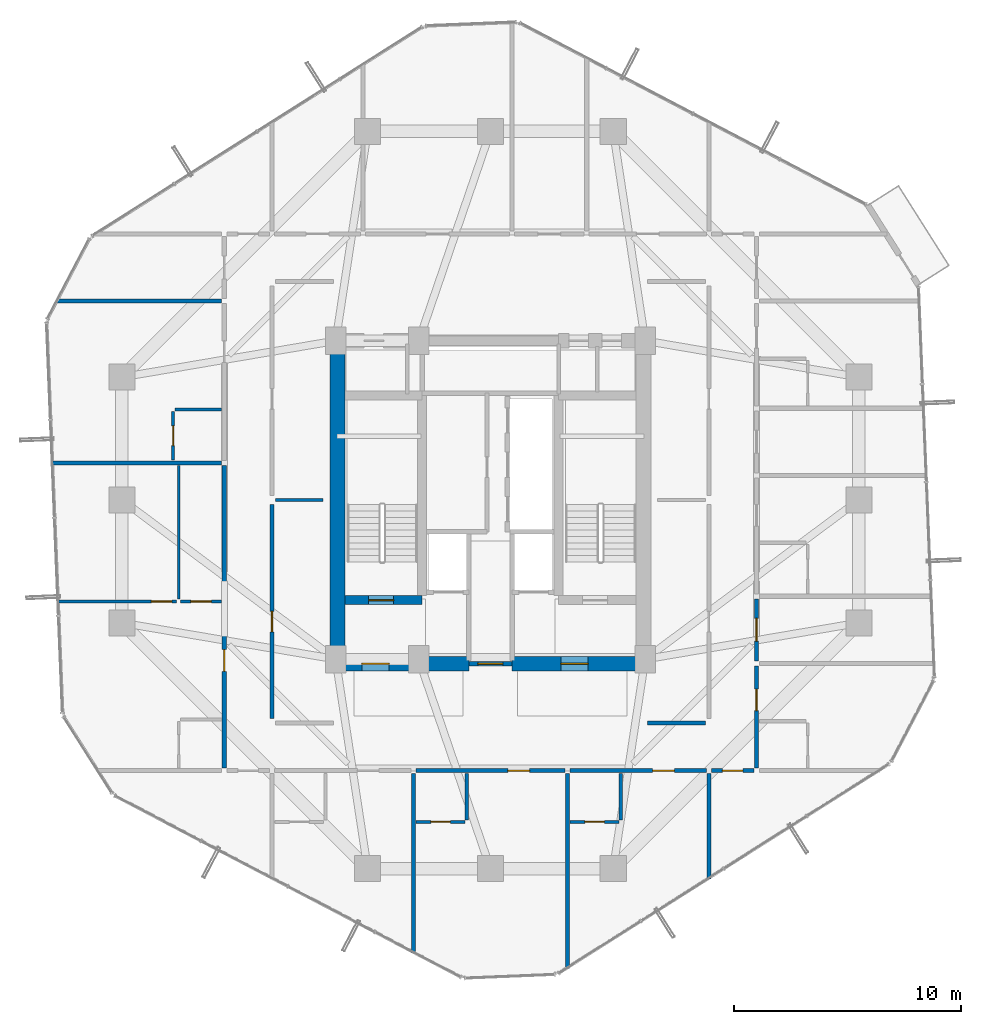
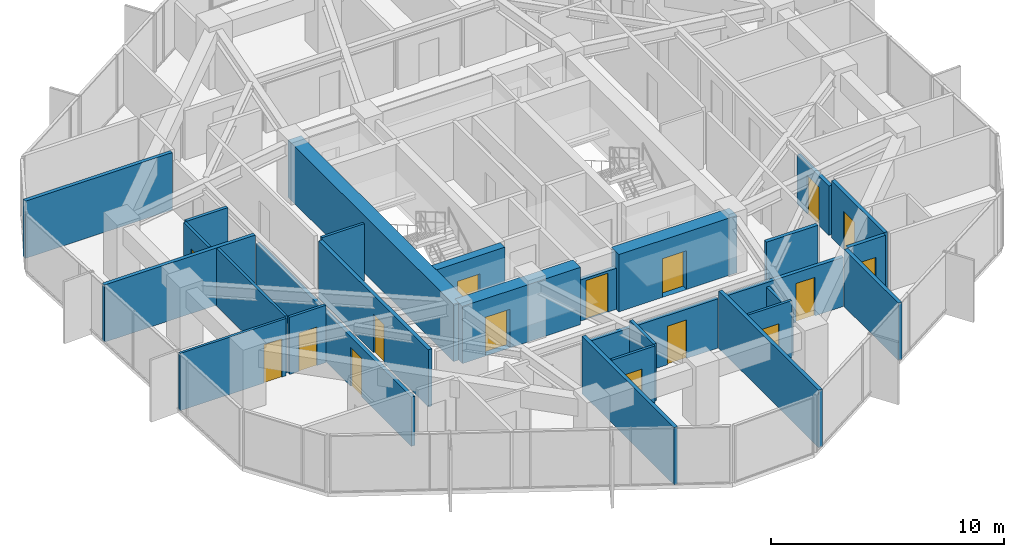
# One storey, part 27 of 32: 28 walls, 16 doors, 16 openings.
"""IFC4 building model written with IfcOpenShell, lengths in metres."""

import ifcopenshell
import ifcopenshell.guid

model = None  # the IFC model being written
_history = None  # IfcOwnerHistory: only IFC2X3 demands one
_inside = {}  # id of a spatial element -> (the spatial element, [elements in it])
_under = {}  # id of a project, library or spatial element -> (it, [spatial elements below it])
_declared = {}  # id of a project -> (the project, [libraries it declares])
_typed = {}  # id of a type object -> (the type object, [elements of that type])
_made_of = {}  # id of a material, layer set ... -> (it, [elements and type objects made of it])


def new_model(schema):
    """Start an empty IFC model of exactly this schema.

    Asked for "IFC4X3", IfcOpenShell would pick the latest addendum, in which some entities
    have other attributes; the version numbers below select the first issue.
    IFC2X3 requires an IfcOwnerHistory on every rooted entity: one is made here for all.
    """
    global model, _history
    if schema == "IFC4X3":
        model = ifcopenshell.file(schema_version=(4, 3, 0, 0))
    else:
        model = ifcopenshell.file(schema=schema)
    _inside.clear()
    _under.clear()
    _declared.clear()
    _typed.clear()
    _made_of.clear()
    _history = None
    if model.schema == "IFC2X3":
        org = make("IfcOrganization", Name="unknown")
        user = make(
            "IfcPersonAndOrganization",
            ThePerson=make("IfcPerson", FamilyName="unknown"),
            TheOrganization=org,
        )
        app = make(
            "IfcApplication",
            ApplicationDeveloper=org,
            Version="unknown",
            ApplicationFullName="unknown",
            ApplicationIdentifier="unknown",
        )
        _history = make(
            "IfcOwnerHistory",
            OwningUser=user,
            OwningApplication=app,
            ChangeAction="ADDED",
            CreationDate=0,
        )
    return model


def make(cls, **values):
    """One entity of the class cls with the attributes given. An attribute that is None is left unset."""
    return model.create_entity(
        cls, **{name: value for name, value in values.items() if value is not None}
    )


def rooted(cls, **values):
    """An entity with a GlobalId (a new one), such as an element, a storey or a relation."""
    return make(cls, GlobalId=ifcopenshell.guid.new(), OwnerHistory=_history, **values)


def si_unit(unit_type, name, prefix=None):
    """IfcSIUnit, for example si_unit("LENGTHUNIT", "METRE", prefix="MILLI")."""
    return make("IfcSIUnit", UnitType=unit_type, Prefix=prefix, Name=name)


def assignment(units):
    """IfcUnitAssignment: the units of a project."""
    return None if units is None else make("IfcUnitAssignment", Units=units)


def point(xyz):
    """IfcCartesianPoint."""
    return None if xyz is None else make("IfcCartesianPoint", Coordinates=xyz)


def direction(xyz):
    """IfcDirection."""
    return None if xyz is None else make("IfcDirection", DirectionRatios=xyz)


def frame(location, z_axis=None, x_axis=None):
    """IfcAxis2Placement3D, a coordinate frame: its origin and axes. An axis left out is left unset."""
    return make(
        "IfcAxis2Placement3D",
        Location=point(location),
        Axis=direction(z_axis),
        RefDirection=direction(x_axis),
    )


def frame_2d(location, x_axis=None):
    """IfcAxis2Placement2D, a coordinate frame in the plane: its origin and x axis."""
    return make(
        "IfcAxis2Placement2D", Location=point(location), RefDirection=direction(x_axis)
    )


def origin():
    """The frame at (0, 0, 0) with its axes left unset."""
    return frame((0.0, 0.0, 0.0))


def place(relative_to, where):
    """IfcLocalPlacement: puts the frame where relative to a parent placement (None: the world)."""
    return make(
        "IfcLocalPlacement", PlacementRelTo=relative_to, RelativePlacement=where
    )


def context(
    kind, dimensions, precision=None, world=None, true_north=None, identifier=None
):
    """IfcGeometricRepresentationContext, for example the 3D "Model" context."""
    return make(
        "IfcGeometricRepresentationContext",
        ContextIdentifier=identifier,
        ContextType=kind,
        CoordinateSpaceDimension=dimensions,
        Precision=precision,
        WorldCoordinateSystem=world,
        TrueNorth=true_north,
    )


def subcontext(parent, identifier, kind, view, scale=None):
    """IfcGeometricRepresentationSubContext, for example "Body" below "Model"."""
    return make(
        "IfcGeometricRepresentationSubContext",
        ContextIdentifier=identifier,
        ContextType=kind,
        ParentContext=parent,
        TargetScale=scale,
        TargetView=view,
    )


def project(units=None, contexts=None):
    """IfcProject with its units and contexts."""
    return rooted(
        "IfcProject",
        Name="project",
        RepresentationContexts=contexts,
        UnitsInContext=assignment(units),
    )


def spatial(cls, under=None, at=None, **own):
    """A site, building, storey or space (cls), placed at a placement, below another one or the project."""
    s = rooted(cls, ObjectPlacement=at, **own)
    if under is not None:
        _under.setdefault(under.id(), (under, []))[1].append(s)
    return s


def profile(cls, at=None, kind="AREA", **sizes):
    """A parametric profile (cls). Its sizes go by their IFC names, for example OverallWidth=200.0."""
    return make(cls, ProfileType=kind, Position=at, **sizes)


def rectangle(**sizes):
    """IfcRectangleProfileDef."""
    return profile("IfcRectangleProfileDef", **sizes)


def extrude(swept, where, along, depth):
    """IfcExtrudedAreaSolid: the profile swept, set in the frame where, extruded along a direction by depth."""
    return make(
        "IfcExtrudedAreaSolid",
        SweptArea=swept,
        Position=where,
        ExtrudedDirection=direction(along),
        Depth=depth,
    )


def shape(context_of_items, identifier, shape_type, items):
    """IfcShapeRepresentation: the items that make up one representation, for example the "Body"."""
    return make(
        "IfcShapeRepresentation",
        ContextOfItems=context_of_items,
        RepresentationIdentifier=identifier,
        RepresentationType=shape_type,
        Items=items,
    )


def source(mapping_origin, context_of_items, identifier, shape_type, items):
    """IfcRepresentationMap: a shape defined once, which mapped items show again and again."""
    return make(
        "IfcRepresentationMap",
        MappingOrigin=mapping_origin,
        MappedRepresentation=shape(context_of_items, identifier, shape_type, items),
    )


def transform(
    local_origin,
    x_axis=None,
    y_axis=None,
    z_axis=None,
    scale=None,
    scale2=None,
    scale3=None,
    uniform=True,
):
    """IfcCartesianTransformationOperator3D, or its non-uniform kind. x_axis, y_axis, z_axis: its Axis1, 2, 3."""
    if uniform:
        return make(
            "IfcCartesianTransformationOperator3D",
            Axis1=direction(x_axis),
            Axis2=direction(y_axis),
            LocalOrigin=point(local_origin),
            Scale=scale,
            Axis3=direction(z_axis),
        )
    return make(
        "IfcCartesianTransformationOperator3DnonUniform",
        Axis1=direction(x_axis),
        Axis2=direction(y_axis),
        LocalOrigin=point(local_origin),
        Scale=scale,
        Axis3=direction(z_axis),
        Scale2=scale2,
        Scale3=scale3,
    )


def mapped(mapping_source, mapping_target):
    """IfcMappedItem: shows the shape of a source again, moved by a transform."""
    return make(
        "IfcMappedItem", MappingSource=mapping_source, MappingTarget=mapping_target
    )


def material(Name=None, Category=None):
    """IfcMaterial."""
    return make("IfcMaterial", Name=Name, Category=Category)


def layer(
    of_material, thickness, ventilated=None, Name=None, Category=None, Priority=None
):
    """IfcMaterialLayer: one layer of a wall or slab, of a material (None: an air gap)."""
    return make(
        "IfcMaterialLayer",
        Material=of_material,
        LayerThickness=thickness,
        IsVentilated=ventilated,
        Name=Name,
        Category=Category,
        Priority=Priority,
    )


def layer_set(layers, Name=None):
    """IfcMaterialLayerSet."""
    return make("IfcMaterialLayerSet", MaterialLayers=layers, LayerSetName=Name)


def made_of(thing, what):
    """Note that an element or type object is made of a material, layer set ...; save() writes the relation."""
    if what is not None:
        _made_of.setdefault(what.id(), (what, []))[1].append(thing)
    return thing


def type_object(cls, material=None, **own):
    """A type object (cls), such as IfcWallType, which elements share."""
    return made_of(rooted(cls, **own), material)


def element(
    cls,
    number,
    at=None,
    inside=None,
    cuts=None,
    type_object=None,
    material=None,
    context=None,
    identifier="Body",
    shape_type=None,
    held_by="IfcProductDefinitionShape",
    body=None,
    shapes=None,
    **own,
):
    """One element of the class cls, such as IfcWall. Its Tag is "e" and its number.

    at: its placement. inside: the storey or other place that contains it. cuts: it is an
    opening in that element (IfcRelVoidsElement). A single representation is given by context,
    identifier, shape_type and body (its items); several are given by shapes. held_by: the class
    of the entity that holds the representations. save() writes the other relations.
    """
    e = rooted(cls, Tag="e%d" % number, ObjectPlacement=at, **own)
    if body is not None:
        shapes = [shape(context, identifier, shape_type, body)]
    if shapes is not None:
        e.Representation = make(held_by, Representations=shapes)
    if inside is not None:
        _inside.setdefault(inside.id(), (inside, []))[1].append(e)
    if cuts is not None:
        rooted(
            "IfcRelVoidsElement", RelatingBuildingElement=cuts, RelatedOpeningElement=e
        )
    if type_object is not None:
        _typed.setdefault(type_object.id(), (type_object, []))[1].append(e)
    return made_of(e, material)


def fill(opening, filler):
    """IfcRelFillsElement: the door or window that sits in an opening."""
    return rooted(
        "IfcRelFillsElement",
        RelatingOpeningElement=opening,
        RelatedBuildingElement=filler,
    )


def aggregate(whole, parts):
    """IfcRelAggregates: a whole, such as a stair, and the parts it consists of."""
    return rooted("IfcRelAggregates", RelatingObject=whole, RelatedObjects=parts)


def save(model, path):
    """Write the relations noted so far, then the file.

    IfcRelAggregates (storeys below a building ...), IfcRelContainedInSpatialStructure (elements
    in a storey), IfcRelDefinesByType, IfcRelAssociatesMaterial and IfcRelDeclares: one each for
    every whole, place, type object, material and project.
    """
    for whole, parts in _under.values():
        aggregate(whole, parts)
    for where, things in _inside.values():
        rooted(
            "IfcRelContainedInSpatialStructure",
            RelatedElements=things,
            RelatingStructure=where,
        )
    for kind, things in _typed.values():
        rooted("IfcRelDefinesByType", RelatedObjects=things, RelatingType=kind)
    for what, things in _made_of.values():
        rooted("IfcRelAssociatesMaterial", RelatedObjects=things, RelatingMaterial=what)
    for by, libraries in _declared.values():
        rooted("IfcRelDeclares", RelatingContext=by, RelatedDefinitions=libraries)
    model.write(path)


model = new_model("IFC4")

# Units and contexts
model_context = context("Model", 3, precision=1e-05, world=origin(), true_north=direction((0.0, 1.0)))
body_context = subcontext(model_context, "Body", "Model", "MODEL_VIEW")
ifc_project = project(units=[si_unit("LENGTHUNIT", "METRE"), si_unit("AREAUNIT", "SQUARE_METRE"), si_unit("VOLUMEUNIT", "CUBIC_METRE"), si_unit("PLANEANGLEUNIT", "RADIAN"), si_unit("MASSUNIT", "GRAM", prefix="KILO")], contexts=[model_context])

# Site, building, storey
site_placement = place(None, origin())
site = spatial("IfcSite", under=ifc_project, at=site_placement, CompositionType="ELEMENT")
building_placement = place(site_placement, origin())
building = spatial("IfcBuilding", under=site, at=building_placement, Name="Veraguas Prism Commons", CompositionType="ELEMENT")
storey_placement = place(building_placement, frame((0.0, 0.0, 136.0)))
storey = spatial("IfcBuildingStorey", under=building, at=storey_placement, Name="L38", CompositionType="ELEMENT", Elevation=136.0)

# Wall, opening, door
ifc_material_1 = material(Name="Concrete C50/60", Category="concrete")
ifc_layer_1 = layer(ifc_material_1, 0.39990234375, Name="Clinic and Mid Core Shear Wall RC 400", Category="concrete")
ifc_layer_set_1 = layer_set([ifc_layer_1], Name="Concrete C50/60")
wall_type_1 = type_object("IfcWallType", Name="Clinic and Mid Core Shear Wall RC 400", PredefinedType="SHEAR", material=ifc_layer_set_1)
wall_1_placement = place(storey_placement, frame((17.60009765625, 19.60009765625, 0.0), z_axis=(0.0, 0.0, 1.0), x_axis=(1.0, 0.0, 0.0)))
wall_1 = element("IfcWall", 1, at=wall_1_placement, inside=storey, type_object=wall_type_1, Name="Stair ST-01 South Shear Wall L38", PredefinedType="SHEAR", context=body_context, shape_type="SweptSolid", body=[
    extrude(rectangle(XDim=3.39990234375, YDim=0.39990234375, at=frame_2d((1.699951171875, 0.0))), origin(), (0.0, 0.0, 1.0), 3.0),
])
opening_1_placement = place(wall_1_placement, frame((1.050048828125, 0.0, 0.0)))
opening_1 = element("IfcOpeningElement", 2, at=opening_1_placement, cuts=wall_1, Name="Opening DR-05", PredefinedType="OPENING", context=body_context, shape_type="SweptSolid", body=[
    extrude(rectangle(XDim=1.10009765625, YDim=2.030029296875, at=frame_2d((0.550048828125, 1.01513671875))), frame((0.0, 0.2099609375, 0.0), z_axis=(0.0, -1.0, 0.0), x_axis=(1.0, 0.0, 0.0)), (0.0, 0.0, 1.0), 0.419921875),
])
ifc_material_2 = material(Name="Steel fire-rated door assembly", Category="steel")
door_type_1 = type_object("IfcDoorType", Name="Protected Stair and Refuge Fire Door 1100x2030", OperationType="NOTDEFINED", PredefinedType="DOOR", material=ifc_material_2)
shared_shape_1 = source(origin(), body_context, "Body", "SweptSolid", [
    extrude(rectangle(XDim=1.10009765625, YDim=2.030029296875, at=frame_2d((0.550048828125, 1.01513671875))), frame((0.0, 0.02490234375, 0.0), z_axis=(0.0, -1.0, 0.0), x_axis=(1.0, 0.0, 0.0)), (0.0, 0.0, 1.0), 0.050048828125),
])
door_1_placement = place(opening_1_placement, origin())
door_1 = element("IfcDoor", 3, at=door_1_placement, inside=storey, type_object=door_type_1, Name="Stair ST-01 Enclosure Door L38", OperationType="SINGLE_SWING_LEFT", OverallHeight=2.030029296875, OverallWidth=1.10009765625, PredefinedType="DOOR", context=body_context, shape_type="MappedRepresentation", body=[
    mapped(shared_shape_1, transform((0.0, 0.0, 0.0), scale=1.0)),
])
fill(opening_1, door_1)

# Wall
ifc_material_3 = material(Name="Concrete C55/67", Category="concrete")
ifc_layer_2 = layer(ifc_material_3, 0.64990234375, Name="Core Outer Shear Wall Mid RC 650", Category="concrete")
ifc_layer_set_2 = layer_set([ifc_layer_2], Name="Concrete C55/67")
wall_type_2 = type_object("IfcWallType", Name="Core Outer Shear Wall Mid RC 650", PredefinedType="SHEAR", material=ifc_layer_set_2)
wall_2_placement = place(storey_placement, frame((17.27490234375, 16.800048828125, 0.0), z_axis=(0.0, 0.0, 1.0), x_axis=(0.0, 1.0, 0.0)))
element("IfcWall", 4, at=wall_2_placement, inside=storey, type_object=wall_type_2, Name="Central Core West Shear Wall L38", PredefinedType="SHEAR", context=body_context, shape_type="SweptSolid", body=[
    extrude(rectangle(XDim=14.199951171875, YDim=0.64990234375, at=frame_2d((7.10009765625, 0.0))), origin(), (0.0, 0.0, 1.0), 3.0),
])

# Wall, opening, door
wall_3_placement = place(storey_placement, frame((17.199951171875, 16.800048828125, 0.0), z_axis=(0.0, 0.0, 1.0), x_axis=(1.0, 0.0, 0.0)))
wall_3 = element("IfcWall", 5, at=wall_3_placement, inside=storey, type_object=wall_type_2, Name="Central Core South-West Shear Wall L38", PredefinedType="SHEAR", context=body_context, shape_type="SweptSolid", body=[
    extrude(rectangle(XDim=5.85009765625, YDim=0.64990234375, at=frame_2d((2.925048828125, 0.0))), origin(), (0.0, 0.0, 1.0), 3.0),
])
opening_2_placement = place(wall_3_placement, frame((1.14990234375, 0.0, 0.0)))
opening_2 = element("IfcOpeningElement", 6, at=opening_2_placement, cuts=wall_3, Name="Opening DR-06", PredefinedType="OPENING", context=body_context, shape_type="SweptSolid", body=[
    extrude(rectangle(XDim=1.199951171875, YDim=2.030029296875, at=frame_2d((0.60009765625, 1.01513671875))), frame((0.0, 0.3349609375, 0.0), z_axis=(0.0, -1.0, 0.0), x_axis=(1.0, 0.0, 0.0)), (0.0, 0.0, 1.0), 0.669921875),
])
door_type_2 = type_object("IfcDoorType", Name="Firefighting Lobby Smoke Door 1200x2030", OperationType="NOTDEFINED", PredefinedType="DOOR", material=ifc_material_2)
shared_shape_2 = source(origin(), body_context, "Body", "SweptSolid", [
    extrude(rectangle(XDim=1.199951171875, YDim=2.030029296875, at=frame_2d((0.60009765625, 1.01513671875))), frame((0.0, 0.02490234375, 0.0), z_axis=(0.0, -1.0, 0.0), x_axis=(1.0, 0.0, 0.0)), (0.0, 0.0, 1.0), 0.050048828125),
])
door_2_placement = place(opening_2_placement, origin())
door_2 = element("IfcDoor", 7, at=door_2_placement, inside=storey, type_object=door_type_2, Name="West FF Lobby Door L38", OperationType="SINGLE_SWING_LEFT", OverallHeight=2.030029296875, OverallWidth=1.199951171875, PredefinedType="DOOR", context=body_context, shape_type="MappedRepresentation", body=[
    mapped(shared_shape_2, transform((0.0, 0.0, 0.0), scale=1.0)),
])
fill(opening_2, door_2)

wall_4_placement = place(storey_placement, frame((24.949951171875, 16.800048828125, 0.0), z_axis=(0.0, 0.0, 1.0), x_axis=(1.0, 0.0, 0.0)))
wall_4 = element("IfcWall", 8, at=wall_4_placement, inside=storey, type_object=wall_type_2, Name="Central Core South-East Shear Wall L38", PredefinedType="SHEAR", context=body_context, shape_type="SweptSolid", body=[
    extrude(rectangle(XDim=5.85009765625, YDim=0.64990234375, at=frame_2d((2.925048828125, 0.0))), origin(), (0.0, 0.0, 1.0), 3.0),
])
opening_3_placement = place(wall_4_placement, frame((2.14990234375, 0.0, 0.0)))
opening_3 = element("IfcOpeningElement", 9, at=opening_3_placement, cuts=wall_4, Name="Opening DR-06", PredefinedType="OPENING", context=body_context, shape_type="SweptSolid", body=[
    extrude(rectangle(XDim=1.199951171875, YDim=2.030029296875, at=frame_2d((0.60009765625, 1.01513671875))), frame((0.0, 0.3349609375, 0.0), z_axis=(0.0, -1.0, 0.0), x_axis=(1.0, 0.0, 0.0)), (0.0, 0.0, 1.0), 0.669921875),
])
door_3_placement = place(opening_3_placement, origin())
door_3 = element("IfcDoor", 10, at=door_3_placement, inside=storey, type_object=door_type_2, Name="East FF Lobby Door L38", OperationType="SINGLE_SWING_LEFT", OverallHeight=2.030029296875, OverallWidth=1.199951171875, PredefinedType="DOOR", context=body_context, shape_type="MappedRepresentation", body=[
    mapped(shared_shape_2, transform((0.0, 0.0, 0.0), scale=1.0)),
])
fill(opening_3, door_3)

ifc_material_4 = material(Name="Autoclaved aerated masonry block 10 MPa", Category="masonry")
ifc_layer_3 = layer(ifc_material_4, 0.179931640625, Name="Corridor and Inter-Tenancy Partition 180", Category="masonry")
ifc_layer_set_3 = layer_set([ifc_layer_3], Name="Autoclaved aerated masonry block 10 MPa")
wall_type_3 = type_object("IfcWallType", Name="Corridor and Inter-Tenancy Partition 180", PredefinedType="PARTITIONING", material=ifc_layer_set_3)
wall_5_placement = place(storey_placement, frame((14.39990234375, 14.39990234375, 0.0), z_axis=(0.0, 0.0, 1.0), x_axis=(0.0, 1.0, 0.0)))
wall_5 = element("IfcWall", 11, at=wall_5_placement, inside=storey, type_object=wall_type_3, Name="WL-L38-IRW1", PredefinedType="PARTITIONING", context=body_context, shape_type="SweptSolid", body=[
    extrude(rectangle(XDim=9.400146484375, YDim=0.179931640625, at=frame_2d((4.7001953125, 0.0))), origin(), (0.0, 0.0, 1.0), 3.0),
])
opening_4_placement = place(wall_5_placement, frame((3.800048828125, 0.0, 0.0)))
opening_4 = element("IfcOpeningElement", 12, at=opening_4_placement, cuts=wall_5, Name="Opening DR-14", PredefinedType="OPENING", context=body_context, shape_type="SweptSolid", body=[
    extrude(rectangle(XDim=0.89990234375, YDim=2.010009765625, at=frame_2d((0.449951171875, 1.0048828125))), frame((0.0, 0.099853515625, 0.0), z_axis=(0.0, -1.0, 0.0), x_axis=(1.0, 0.0, 0.0)), (0.0, 0.0, 1.0), 0.199951171875),
])
door_type_3 = type_object("IfcDoorType", Name="Core Service Room Fire Door 900x2010", OperationType="NOTDEFINED", PredefinedType="DOOR", material=ifc_material_2)
shared_shape_3 = source(origin(), body_context, "Body", "SweptSolid", [
    extrude(rectangle(XDim=0.89990234375, YDim=2.010009765625, at=frame_2d((0.449951171875, 1.0048828125))), frame((0.0, 0.02490234375, 0.0), z_axis=(0.0, -1.0, 0.0), x_axis=(1.0, 0.0, 0.0)), (0.0, 0.0, 1.0), 0.050048828125),
])
door_4_placement = place(opening_4_placement, origin())
door_4 = element("IfcDoor", 13, at=door_4_placement, inside=storey, type_object=door_type_3, Name="Residents Quiet Study Pod Door L38", OperationType="SINGLE_SWING_RIGHT", OverallHeight=2.010009765625, OverallWidth=0.89990234375, PredefinedType="DOOR", context=body_context, shape_type="MappedRepresentation", body=[
    mapped(shared_shape_3, transform((0.0, 0.0, 0.0), scale=1.0)),
])
fill(opening_4, door_4)

# Walls
wall_6_placement = place(storey_placement, frame((30.89990234375, 14.199951171875, 0.0), z_axis=(0.0, 0.0, 1.0), x_axis=(1.0, 0.0, 0.0)))
element("IfcWall", 14, at=wall_6_placement, inside=storey, type_object=wall_type_3, Name="WL-L38-IRES", PredefinedType="PARTITIONING", context=body_context, shape_type="SweptSolid", body=[
    extrude(rectangle(XDim=2.550048828125, YDim=0.179931640625, at=frame_2d((1.27490234375, 0.0))), origin(), (0.0, 0.0, 1.0), 3.0),
])
wall_7_placement = place(storey_placement, frame((33.60009765625, 11.97998046875, 0.0), z_axis=(0.0, 0.0, 1.0), x_axis=(0.0, -1.0, 0.0)))
element("IfcWall", 15, at=wall_7_placement, inside=storey, type_object=wall_type_3, Name="WL-L38-PT002", PredefinedType="PARTITIONING", context=body_context, shape_type="SweptSolid", body=[
    extrude(rectangle(XDim=4.641357421875, YDim=0.179931640625, at=frame_2d((2.32080078125, 0.0))), origin(), (0.0, 0.0, 1.0), 3.0),
])
wall_8_placement = place(storey_placement, frame((20.615966796875, 11.97998046875, 0.0), z_axis=(0.0, 0.0, 1.0), x_axis=(0.0, -1.0, 0.0)))
element("IfcWall", 16, at=wall_8_placement, inside=storey, type_object=wall_type_3, Name="WL-L38-PT006", PredefinedType="PARTITIONING", context=body_context, shape_type="SweptSolid", body=[
    extrude(rectangle(XDim=7.897705078125, YDim=0.179931640625, at=frame_2d((3.94873046875, 0.0))), origin(), (0.0, 0.0, 1.0), 3.0),
])

# Wall, opening, door
wall_9_placement = place(storey_placement, frame((20.72607421875, 12.10009765625, 0.0), z_axis=(0.0, 0.0, 1.0), x_axis=(1.0, 0.0, 0.0)))
wall_9 = element("IfcWall", 17, at=wall_9_placement, inside=storey, type_object=wall_type_3, Name="WL-L38-PT007", PredefinedType="PARTITIONING", context=body_context, shape_type="SweptSolid", body=[
    extrude(rectangle(XDim=6.5478515625, YDim=0.179931640625, at=frame_2d((3.27392578125, 0.0))), origin(), (0.0, 0.0, 1.0), 2.580078125),
])
opening_5_placement = place(wall_9_placement, frame((4.04638671875, 0.0, 0.0)))
opening_5 = element("IfcOpeningElement", 18, at=opening_5_placement, cuts=wall_9, Name="Opening DR-01", PredefinedType="OPENING", context=body_context, shape_type="SweptSolid", body=[
    extrude(rectangle(XDim=0.949951171875, YDim=2.02001953125, at=frame_2d((0.47509765625, 1.010009765625))), frame((0.0, 0.099853515625, 0.0), z_axis=(0.0, -1.0, 0.0), x_axis=(1.0, 0.0, 0.0)), (0.0, 0.0, 1.0), 0.199951171875),
])
ifc_material_5 = material(Name="Anodised aluminium EN AW-6063 T6", Category="aluminium")
door_type_4 = type_object("IfcDoorType", Name="Apartment Entrance Fire Door 950x2020", OperationType="NOTDEFINED", PredefinedType="DOOR", material=ifc_material_5)
shared_shape_4 = source(origin(), body_context, "Body", "SweptSolid", [
    extrude(rectangle(XDim=0.949951171875, YDim=2.02001953125, at=frame_2d((0.47509765625, 1.010009765625))), frame((0.0, 0.02490234375, 0.0), z_axis=(0.0, -1.0, 0.0), x_axis=(1.0, 0.0, 0.0)), (0.0, 0.0, 1.0), 0.050048828125),
])
door_5_placement = place(opening_5_placement, origin())
door_5 = element("IfcDoor", 19, at=door_5_placement, inside=storey, type_object=door_type_4, Name="Studio 38B Entrance Door", OperationType="SINGLE_SWING_RIGHT", OverallHeight=2.02001953125, OverallWidth=0.949951171875, PredefinedType="DOOR", context=body_context, shape_type="MappedRepresentation", body=[
    mapped(shared_shape_4, transform((0.0, 0.0, 0.0), scale=1.0)),
])
fill(opening_5, door_5)

# Wall
wall_10_placement = place(storey_placement, frame((27.384033203125, 11.97998046875, 0.0), z_axis=(0.0, 0.0, 1.0), x_axis=(0.0, -1.0, 0.0)))
element("IfcWall", 20, at=wall_10_placement, inside=storey, type_object=wall_type_3, Name="WL-L38-PT010", PredefinedType="PARTITIONING", context=body_context, shape_type="SweptSolid", body=[
    extrude(rectangle(XDim=8.576904296875, YDim=0.179931640625, at=frame_2d((4.28857421875, 0.0))), origin(), (0.0, 0.0, 1.0), 3.0),
])

# Wall, opening, door
wall_11_placement = place(storey_placement, frame((27.493896484375, 12.10009765625, 0.0), z_axis=(0.0, 0.0, 1.0), x_axis=(1.0, 0.0, 0.0)))
wall_11 = element("IfcWall", 21, at=wall_11_placement, inside=storey, type_object=wall_type_3, Name="WL-L38-PT011", PredefinedType="PARTITIONING", context=body_context, shape_type="SweptSolid", body=[
    extrude(rectangle(XDim=5.99609375, YDim=0.179931640625, at=frame_2d((2.998046875, 0.0))), origin(), (0.0, 0.0, 1.0), 2.580078125),
])
opening_6_placement = place(wall_11_placement, frame((3.637939453125, 0.0, 0.0)))
opening_6 = element("IfcOpeningElement", 22, at=opening_6_placement, cuts=wall_11, Name="Opening DR-01", PredefinedType="OPENING", context=body_context, shape_type="SweptSolid", body=[
    extrude(rectangle(XDim=0.949951171875, YDim=2.02001953125, at=frame_2d((0.47509765625, 1.010009765625))), frame((0.0, 0.099853515625, 0.0), z_axis=(0.0, -1.0, 0.0), x_axis=(1.0, 0.0, 0.0)), (0.0, 0.0, 1.0), 0.199951171875),
])
door_6_placement = place(opening_6_placement, origin())
door_6 = element("IfcDoor", 23, at=door_6_placement, inside=storey, type_object=door_type_4, Name="Studio 38C Entrance Door", OperationType="SINGLE_SWING_RIGHT", OverallHeight=2.02001953125, OverallWidth=0.949951171875, PredefinedType="DOOR", context=body_context, shape_type="MappedRepresentation", body=[
    mapped(shared_shape_4, transform((0.0, 0.0, 0.0), scale=1.0)),
])
fill(opening_6, door_6)

wall_12_placement = place(storey_placement, frame((12.300048828125, 12.2099609375, 0.0), z_axis=(0.0, 0.0, 1.0), x_axis=(0.0, 1.0, 0.0)))
wall_12 = element("IfcWall", 24, at=wall_12_placement, inside=storey, type_object=wall_type_3, Name="WL-L38-PT025", PredefinedType="PARTITIONING", context=body_context, shape_type="SweptSolid", body=[
    extrude(rectangle(XDim=13.30810546875, YDim=0.179931640625, at=frame_2d((6.654052734375, 0.0))), origin(), (0.0, 0.0, 1.0), 2.580078125),
])
opening_7_placement = place(wall_12_placement, frame((4.260009765625, 0.0, 0.0)))
opening_7 = element("IfcOpeningElement", 25, at=opening_7_placement, cuts=wall_12, Name="Opening DR-01", PredefinedType="OPENING", context=body_context, shape_type="SweptSolid", body=[
    extrude(rectangle(XDim=0.949951171875, YDim=2.02001953125, at=frame_2d((0.47509765625, 1.010009765625))), frame((0.0, 0.099853515625, 0.0), z_axis=(0.0, -1.0, 0.0), x_axis=(1.0, 0.0, 0.0)), (0.0, 0.0, 1.0), 0.199951171875),
])
door_7_placement = place(opening_7_placement, origin())
door_7 = element("IfcDoor", 26, at=door_7_placement, inside=storey, type_object=door_type_4, Name="Flat 38D Entrance Door", OperationType="SINGLE_SWING_RIGHT", OverallHeight=2.02001953125, OverallWidth=0.949951171875, PredefinedType="DOOR", context=body_context, shape_type="MappedRepresentation", body=[
    mapped(shared_shape_4, transform((0.0, 0.0, 0.0), scale=1.0)),
])
fill(opening_7, door_7)

# Walls
wall_13_placement = place(storey_placement, frame((12.179931640625, 25.6279296875, 0.0), z_axis=(0.0, 0.0, 1.0), x_axis=(-1.0, 0.0, 0.0)))
element("IfcWall", 27, at=wall_13_placement, inside=storey, type_object=wall_type_3, Name="WL-L38-PT031", PredefinedType="PARTITIONING", context=body_context, shape_type="SweptSolid", body=[
    extrude(rectangle(XDim=7.47509765625, YDim=0.179931640625, at=frame_2d((3.737548828125, 0.0))), origin(), (0.0, 0.0, 1.0), 3.0),
])
wall_14_placement = place(storey_placement, frame((12.179931640625, 32.75, 0.0), z_axis=(0.0, 0.0, 1.0), x_axis=(-1.0, 0.0, 0.0)))
element("IfcWall", 28, at=wall_14_placement, inside=storey, type_object=wall_type_3, Name="WL-L38-PT033", PredefinedType="PARTITIONING", context=body_context, shape_type="SweptSolid", body=[
    extrude(rectangle(XDim=7.2822265625, YDim=0.179931640625, at=frame_2d((3.64111328125, 0.0))), origin(), (0.0, 0.0, 1.0), 3.0),
])

# Wall, opening, door
wall_15_placement = place(storey_placement, frame((35.699951171875, 16.927978515625, 0.0), z_axis=(0.0, 0.0, 1.0), x_axis=(0.0, 1.0, 0.0)))
wall_15 = element("IfcWall", 29, at=wall_15_placement, inside=storey, type_object=wall_type_3, Name="WL-L38-PT039", PredefinedType="PARTITIONING", context=body_context, shape_type="SweptSolid", body=[
    extrude(rectangle(XDim=2.72998046875, YDim=0.179931640625, at=frame_2d((1.364990234375, 0.0))), origin(), (0.0, 0.0, 1.0), 2.580078125),
])
opening_8_placement = place(wall_15_placement, frame((0.864990234375, 0.0, 0.0)))
opening_8 = element("IfcOpeningElement", 30, at=opening_8_placement, cuts=wall_15, Name="Opening DR-13", PredefinedType="OPENING", context=body_context, shape_type="SweptSolid", body=[
    extrude(rectangle(XDim=1.0, YDim=2.010009765625, at=frame_2d((0.5, 1.0048828125))), frame((0.0, 0.099853515625, 0.0), z_axis=(0.0, -1.0, 0.0), x_axis=(1.0, 0.0, 0.0)), (0.0, 0.0, 1.0), 0.199951171875),
])
door_type_5 = type_object("IfcDoorType", Name="Core Accessible WC and Clinic Fire Door 1000x2010", OperationType="NOTDEFINED", PredefinedType="DOOR", material=ifc_material_2)
shared_shape_5 = source(origin(), body_context, "Body", "SweptSolid", [
    extrude(rectangle(XDim=1.0, YDim=2.010009765625, at=frame_2d((0.5, 1.0048828125))), frame((0.0, 0.02490234375, 0.0), z_axis=(0.0, -1.0, 0.0), x_axis=(1.0, 0.0, 0.0)), (0.0, 0.0, 1.0), 0.050048828125),
])
door_8_placement = place(opening_8_placement, origin())
door_8 = element("IfcDoor", 31, at=door_8_placement, inside=storey, type_object=door_type_5, Name="Quiet Study E Door", OperationType="SINGLE_SWING_LEFT", OverallHeight=2.010009765625, OverallWidth=1.0, PredefinedType="DOOR", context=body_context, shape_type="MappedRepresentation", body=[
    mapped(shared_shape_5, transform((0.0, 0.0, 0.0), scale=1.0)),
])
fill(opening_8, door_8)

wall_16_placement = place(storey_placement, frame((35.699951171875, 12.2099609375, 0.0), z_axis=(0.0, 0.0, 1.0), x_axis=(0.0, 1.0, 0.0)))
wall_16 = element("IfcWall", 32, at=wall_16_placement, inside=storey, type_object=wall_type_3, Name="WL-L38-PT041", PredefinedType="PARTITIONING", context=body_context, shape_type="SweptSolid", body=[
    extrude(rectangle(XDim=4.498046875, YDim=0.179931640625, at=frame_2d((2.2490234375, 0.0))), origin(), (0.0, 0.0, 1.0), 3.0),
])
opening_9_placement = place(wall_16_placement, frame((2.529541015625, 0.0, 0.0)))
opening_9 = element("IfcOpeningElement", 33, at=opening_9_placement, cuts=wall_16, Name="Opening DR-01", PredefinedType="OPENING", context=body_context, shape_type="SweptSolid", body=[
    extrude(rectangle(XDim=0.949951171875, YDim=2.02001953125, at=frame_2d((0.47509765625, 1.010009765625))), frame((0.0, 0.099853515625, 0.0), z_axis=(0.0, -1.0, 0.0), x_axis=(1.0, 0.0, 0.0)), (0.0, 0.0, 1.0), 0.199951171875),
])
door_9_placement = place(opening_9_placement, origin())
door_9 = element("IfcDoor", 34, at=door_9_placement, inside=storey, type_object=door_type_4, Name="Studio 38F Entrance Door", OperationType="SINGLE_SWING_RIGHT", OverallHeight=2.02001953125, OverallWidth=0.949951171875, PredefinedType="DOOR", context=body_context, shape_type="MappedRepresentation", body=[
    mapped(shared_shape_4, transform((0.0, 0.0, 0.0), scale=1.0)),
])
fill(opening_9, door_9)

wall_17_placement = place(storey_placement, frame((33.719970703125, 12.10009765625, 0.0), z_axis=(0.0, 0.0, 1.0), x_axis=(1.0, 0.0, 0.0)))
wall_17 = element("IfcWall", 35, at=wall_17_placement, inside=storey, type_object=wall_type_3, Name="WL-L38-PT057", PredefinedType="PARTITIONING", context=body_context, shape_type="SweptSolid", body=[
    extrude(rectangle(XDim=1.860107421875, YDim=0.179931640625, at=frame_2d((0.93017578125, 0.0))), origin(), (0.0, 0.0, 1.0), 3.0),
])
opening_10_placement = place(wall_17_placement, frame((0.47998046875, 0.0, 0.0)))
opening_10 = element("IfcOpeningElement", 36, at=opening_10_placement, cuts=wall_17, Name="Opening DR-14", PredefinedType="OPENING", context=body_context, shape_type="SweptSolid", body=[
    extrude(rectangle(XDim=0.89990234375, YDim=2.010009765625, at=frame_2d((0.449951171875, 1.0048828125))), frame((0.0, 0.099853515625, 0.0), z_axis=(0.0, -1.0, 0.0), x_axis=(1.0, 0.0, 0.0)), (0.0, 0.0, 1.0), 0.199951171875),
])
door_10_placement = place(opening_10_placement, origin())
door_10 = element("IfcDoor", 37, at=door_10_placement, inside=storey, type_object=door_type_3, Name="Corner Study SE Door", OperationType="SINGLE_SWING_LEFT", OverallHeight=2.010009765625, OverallWidth=0.89990234375, PredefinedType="DOOR", context=body_context, shape_type="MappedRepresentation", body=[
    mapped(shared_shape_3, transform((0.0, 0.0, 0.0), scale=1.0)),
])
fill(opening_10, door_10)

# Wall
ifc_material_6 = material(Name="Lightweight acoustic gypsum board")
ifc_layer_4 = layer(ifc_material_6, 0.125, Name="Internal Apartment Room Partition 125")
ifc_layer_set_4 = layer_set([ifc_layer_4], Name="Lightweight acoustic gypsum board")
wall_type_4 = type_object("IfcWallType", Name="Internal Apartment Room Partition 125", PredefinedType="PARTITIONING", material=ifc_layer_set_4)
wall_18_placement = place(storey_placement, frame((14.550048828125, 24.0, 0.0), z_axis=(0.0, 0.0, 1.0), x_axis=(1.0, 0.0, 0.0)))
element("IfcWall", 38, at=wall_18_placement, inside=storey, type_object=wall_type_4, Name="WL-L38-IRWM", PredefinedType="PARTITIONING", context=body_context, shape_type="SweptSolid", body=[
    extrude(rectangle(XDim=2.099853515625, YDim=0.125, at=frame_2d((1.0498046875, 0.0))), origin(), (0.0, 0.0, 1.0), 3.0),
])

# Wall, opening, door
wall_19_placement = place(storey_placement, frame((20.736083984375, 9.85009765625, 0.0), z_axis=(0.0, 0.0, 1.0), x_axis=(1.0, 0.0, 0.0)))
wall_19 = element("IfcWall", 39, at=wall_19_placement, inside=storey, type_object=wall_type_4, Name="WL-L38-PT009", PredefinedType="PARTITIONING", context=body_context, shape_type="SweptSolid", body=[
    extrude(rectangle(XDim=2.14990234375, YDim=0.125, at=frame_2d((1.074951171875, 0.0))), origin(), (0.0, 0.0, 1.0), 3.0),
])
opening_11_placement = place(wall_19_placement, frame((0.64501953125, 0.0, 0.0)))
opening_11 = element("IfcOpeningElement", 40, at=opening_11_placement, cuts=wall_19, Name="Opening DR-03", PredefinedType="OPENING", context=body_context, shape_type="SweptSolid", body=[
    extrude(rectangle(XDim=0.860107421875, YDim=2.010009765625, at=frame_2d((0.43017578125, 1.0048828125))), frame((0.0, 0.072509765625, 0.0), z_axis=(0.0, -1.0, 0.0), x_axis=(1.0, 0.0, 0.0)), (0.0, 0.0, 1.0), 0.14501953125),
])
ifc_material_7 = material(Name="Timber moisture-resistant leaf", Category="wood")
door_type_6 = type_object("IfcDoorType", Name="Internal Bathroom Door 860x2010", OperationType="NOTDEFINED", PredefinedType="DOOR", material=ifc_material_7)
shared_shape_6 = source(origin(), body_context, "Body", "SweptSolid", [
    extrude(rectangle(XDim=0.860107421875, YDim=2.010009765625, at=frame_2d((0.43017578125, 1.0048828125))), frame((0.0, 0.02490234375, 0.0), z_axis=(0.0, -1.0, 0.0), x_axis=(1.0, 0.0, 0.0)), (0.0, 0.0, 1.0), 0.050048828125),
])
door_11_placement = place(opening_11_placement, origin())
door_11 = element("IfcDoor", 41, at=door_11_placement, inside=storey, type_object=door_type_6, Name="Studio 38B Bathroom Door", OperationType="SINGLE_SWING_LEFT", OverallHeight=2.010009765625, OverallWidth=0.860107421875, PredefinedType="DOOR", context=body_context, shape_type="MappedRepresentation", body=[
    mapped(shared_shape_6, transform((0.0, 0.0, 0.0), scale=1.0)),
])
fill(opening_11, door_11)

wall_20_placement = place(storey_placement, frame((27.50390625, 9.85009765625, 0.0), z_axis=(0.0, 0.0, 1.0), x_axis=(1.0, 0.0, 0.0)))
wall_20 = element("IfcWall", 42, at=wall_20_placement, inside=storey, type_object=wall_type_4, Name="WL-L38-PT013", PredefinedType="PARTITIONING", context=body_context, shape_type="SweptSolid", body=[
    extrude(rectangle(XDim=2.150146484375, YDim=0.125, at=frame_2d((1.0751953125, 0.0))), origin(), (0.0, 0.0, 1.0), 3.0),
])
opening_12_placement = place(wall_20_placement, frame((0.64501953125, 0.0, 0.0)))
opening_12 = element("IfcOpeningElement", 43, at=opening_12_placement, cuts=wall_20, Name="Opening DR-03", PredefinedType="OPENING", context=body_context, shape_type="SweptSolid", body=[
    extrude(rectangle(XDim=0.860107421875, YDim=2.010009765625, at=frame_2d((0.43017578125, 1.0048828125))), frame((0.0, 0.072509765625, 0.0), z_axis=(0.0, -1.0, 0.0), x_axis=(1.0, 0.0, 0.0)), (0.0, 0.0, 1.0), 0.14501953125),
])
door_12_placement = place(opening_12_placement, origin())
door_12 = element("IfcDoor", 44, at=door_12_placement, inside=storey, type_object=door_type_6, Name="Studio 38C Bathroom Door", OperationType="SINGLE_SWING_LEFT", OverallHeight=2.010009765625, OverallWidth=0.860107421875, PredefinedType="DOOR", context=body_context, shape_type="MappedRepresentation", body=[
    mapped(shared_shape_6, transform((0.0, 0.0, 0.0), scale=1.0)),
])
fill(opening_12, door_12)

wall_21_placement = place(storey_placement, frame((12.179931640625, 19.5400390625, 0.0), z_axis=(0.0, 0.0, 1.0), x_axis=(-1.0, 0.0, 0.0)))
wall_21 = element("IfcWall", 45, at=wall_21_placement, inside=storey, type_object=wall_type_4, Name="WL-L38-PT028", PredefinedType="PARTITIONING", context=body_context, shape_type="SweptSolid", body=[
    extrude(rectangle(XDim=1.800048828125, YDim=0.125, at=frame_2d((0.89990234375, 0.0))), origin(), (0.0, 0.0, 1.0), 3.0),
])
opening_13_placement = place(wall_21_placement, frame((0.449951171875, 0.0, 0.0)))
opening_13 = element("IfcOpeningElement", 46, at=opening_13_placement, cuts=wall_21, Name="Opening DR-02", PredefinedType="OPENING", context=body_context, shape_type="SweptSolid", body=[
    extrude(rectangle(XDim=0.89990234375, YDim=2.010009765625, at=frame_2d((0.449951171875, 1.0048828125))), frame((0.0, 0.072509765625, 0.0), z_axis=(0.0, -1.0, 0.0), x_axis=(1.0, 0.0, 0.0)), (0.0, 0.0, 1.0), 0.14501953125),
])
ifc_material_8 = material(Name="Timber solid core hardwood", Category="wood")
door_type_7 = type_object("IfcDoorType", Name="Internal Habitable Room Door 900x2010", OperationType="NOTDEFINED", PredefinedType="DOOR", material=ifc_material_8)
door_13_placement = place(opening_13_placement, origin())
door_13 = element("IfcDoor", 47, at=door_13_placement, inside=storey, type_object=door_type_7, Name="Flat 38D Kitchen Door", OperationType="SINGLE_SWING_RIGHT", OverallHeight=2.010009765625, OverallWidth=0.89990234375, PredefinedType="DOOR", context=body_context, shape_type="MappedRepresentation", body=[
    mapped(shared_shape_3, transform((0.0, 0.0, 0.0), scale=1.0)),
])
fill(opening_13, door_13)

# Wall
wall_22_placement = place(storey_placement, frame((10.300048828125, 19.639892578125, 0.0), z_axis=(0.0, 0.0, 1.0), x_axis=(0.0, 1.0, 0.0)))
element("IfcWall", 48, at=wall_22_placement, inside=storey, type_object=wall_type_4, Name="WL-L38-PT029", PredefinedType="PARTITIONING", context=body_context, shape_type="SweptSolid", body=[
    extrude(rectangle(XDim=5.8681640625, YDim=0.125, at=frame_2d((2.93408203125, 0.0))), origin(), (0.0, 0.0, 1.0), 3.0),
])

# Wall, opening, door
wall_23_placement = place(storey_placement, frame((10.199951171875, 19.5400390625, 0.0), z_axis=(0.0, 0.0, 1.0), x_axis=(-1.0, 0.0, 0.0)))
wall_23 = element("IfcWall", 49, at=wall_23_placement, inside=storey, type_object=wall_type_4, Name="WL-L38-PT030", PredefinedType="PARTITIONING", context=body_context, shape_type="SweptSolid", body=[
    extrude(rectangle(XDim=5.246337890625, YDim=0.125, at=frame_2d((2.623046875, 0.0))), origin(), (0.0, 0.0, 1.0), 3.0),
])
opening_14_placement = place(wall_23_placement, frame((0.199951171875, 0.0, 0.0)))
opening_14 = element("IfcOpeningElement", 50, at=opening_14_placement, cuts=wall_23, Name="Opening DR-02", PredefinedType="OPENING", context=body_context, shape_type="SweptSolid", body=[
    extrude(rectangle(XDim=0.89990234375, YDim=2.010009765625, at=frame_2d((0.449951171875, 1.0048828125))), frame((0.0, 0.072509765625, 0.0), z_axis=(0.0, -1.0, 0.0), x_axis=(1.0, 0.0, 0.0)), (0.0, 0.0, 1.0), 0.14501953125),
])
door_14_placement = place(opening_14_placement, origin())
door_14 = element("IfcDoor", 51, at=door_14_placement, inside=storey, type_object=door_type_7, Name="Flat 38D Bedroom 1 Door", OperationType="SINGLE_SWING_LEFT", OverallHeight=2.010009765625, OverallWidth=0.89990234375, PredefinedType="DOOR", context=body_context, shape_type="MappedRepresentation", body=[
    mapped(shared_shape_3, transform((0.0, 0.0, 0.0), scale=1.0)),
])
fill(opening_14, door_14)

wall_24_placement = place(storey_placement, frame((10.050048828125, 25.748046875, 0.0), z_axis=(0.0, 0.0, 1.0), x_axis=(0.0, 1.0, 0.0)))
wall_24 = element("IfcWall", 52, at=wall_24_placement, inside=storey, type_object=wall_type_4, Name="WL-L38-PT036", PredefinedType="PARTITIONING", context=body_context, shape_type="SweptSolid", body=[
    extrude(rectangle(XDim=2.14990234375, YDim=0.125, at=frame_2d((1.074951171875, 0.0))), origin(), (0.0, 0.0, 1.0), 3.0),
])
opening_15_placement = place(wall_24_placement, frame((0.64501953125, 0.0, 0.0)))
opening_15 = element("IfcOpeningElement", 53, at=opening_15_placement, cuts=wall_24, Name="Opening DR-03", PredefinedType="OPENING", context=body_context, shape_type="SweptSolid", body=[
    extrude(rectangle(XDim=0.860107421875, YDim=2.010009765625, at=frame_2d((0.43017578125, 1.0048828125))), frame((0.0, 0.072509765625, 0.0), z_axis=(0.0, -1.0, 0.0), x_axis=(1.0, 0.0, 0.0)), (0.0, 0.0, 1.0), 0.14501953125),
])
door_15_placement = place(opening_15_placement, origin())
door_15 = element("IfcDoor", 54, at=door_15_placement, inside=storey, type_object=door_type_6, Name="Studio 38E Bathroom Door", OperationType="SINGLE_SWING_RIGHT", OverallHeight=2.010009765625, OverallWidth=0.860107421875, PredefinedType="DOOR", context=body_context, shape_type="MappedRepresentation", body=[
    mapped(shared_shape_6, transform((0.0, 0.0, 0.0), scale=1.0)),
])
fill(opening_15, door_15)

ifc_layer_5 = layer(ifc_material_4, 0.199951171875, Name="Rated Shaft and Lobby Block Wall 200", Category="masonry")
ifc_layer_set_5 = layer_set([ifc_layer_5], Name="Autoclaved aerated masonry block 10 MPa")
wall_type_5 = type_object("IfcWallType", Name="Rated Shaft and Lobby Block Wall 200", PredefinedType="SOLIDWALL", material=ifc_layer_set_5)
wall_25_placement = place(storey_placement, frame((23.050048828125, 16.800048828125, 0.0), z_axis=(0.0, 0.0, 1.0), x_axis=(1.0, 0.0, 0.0)))
wall_25 = element("IfcWall", 55, at=wall_25_placement, inside=storey, type_object=wall_type_5, Name="Central Core Lobby Entrance Wall L38", PredefinedType="SOLIDWALL", context=body_context, shape_type="SweptSolid", body=[
    extrude(rectangle(XDim=1.89990234375, YDim=0.199951171875, at=frame_2d((0.949951171875, 0.0))), origin(), (0.0, 0.0, 1.0), 2.14990234375),
])
opening_16_placement = place(wall_25_placement, frame((0.39990234375, 0.0, 0.0)))
opening_16 = element("IfcOpeningElement", 56, at=opening_16_placement, cuts=wall_25, Name="Opening DR-05", PredefinedType="OPENING", context=body_context, shape_type="SweptSolid", body=[
    extrude(rectangle(XDim=1.10009765625, YDim=2.030029296875, at=frame_2d((0.550048828125, 1.01513671875))), frame((0.0, 0.10986328125, 0.0), z_axis=(0.0, -1.0, 0.0), x_axis=(1.0, 0.0, 0.0)), (0.0, 0.0, 1.0), 0.219970703125),
])
door_16_placement = place(opening_16_placement, origin())
door_16 = element("IfcDoor", 57, at=door_16_placement, inside=storey, type_object=door_type_1, Name="Central Lobby Door L38", OperationType="SINGLE_SWING_RIGHT", OverallHeight=2.030029296875, OverallWidth=1.10009765625, PredefinedType="DOOR", context=body_context, shape_type="MappedRepresentation", body=[
    mapped(shared_shape_1, transform((0.0, 0.0, 0.0), scale=1.0)),
])
fill(opening_16, door_16)

# Walls
ifc_layer_6 = layer(ifc_material_6, 0.14990234375, Name="Wet Room and Clinic Acoustic Partition 150")
ifc_layer_set_6 = layer_set([ifc_layer_6], Name="Lightweight acoustic gypsum board")
wall_type_6 = type_object("IfcWallType", Name="Wet Room and Clinic Acoustic Partition 150", PredefinedType="PARTITIONING", material=ifc_layer_set_6)
wall_26_placement = place(storey_placement, frame((22.966064453125, 11.97998046875, 0.0), z_axis=(0.0, 0.0, 1.0), x_axis=(0.0, -1.0, 0.0)))
element("IfcWall", 58, at=wall_26_placement, inside=storey, type_object=wall_type_6, Name="WL-L38-PT008", PredefinedType="PARTITIONING", context=body_context, shape_type="SweptSolid", body=[
    extrude(rectangle(XDim=2.050048828125, YDim=0.14990234375, at=frame_2d((1.02490234375, 0.0))), origin(), (0.0, 0.0, 1.0), 3.0),
])
wall_27_placement = place(storey_placement, frame((29.73388671875, 11.97998046875, 0.0), z_axis=(0.0, 0.0, 1.0), x_axis=(0.0, -1.0, 0.0)))
element("IfcWall", 59, at=wall_27_placement, inside=storey, type_object=wall_type_6, Name="WL-L38-PT012", PredefinedType="PARTITIONING", context=body_context, shape_type="SweptSolid", body=[
    extrude(rectangle(XDim=2.050048828125, YDim=0.14990234375, at=frame_2d((1.02490234375, 0.0))), origin(), (0.0, 0.0, 1.0), 2.3779296875),
])
wall_28_placement = place(storey_placement, frame((12.179931640625, 27.97802734375, 0.0), z_axis=(0.0, 0.0, 1.0), x_axis=(-1.0, 0.0, 0.0)))
element("IfcWall", 60, at=wall_28_placement, inside=storey, type_object=wall_type_6, Name="WL-L38-PT035", PredefinedType="PARTITIONING", context=body_context, shape_type="SweptSolid", body=[
    extrude(rectangle(XDim=2.050048828125, YDim=0.14990234375, at=frame_2d((1.02490234375, 0.0))), origin(), (0.0, 0.0, 1.0), 3.0),
])

save(model, "model.ifc")
